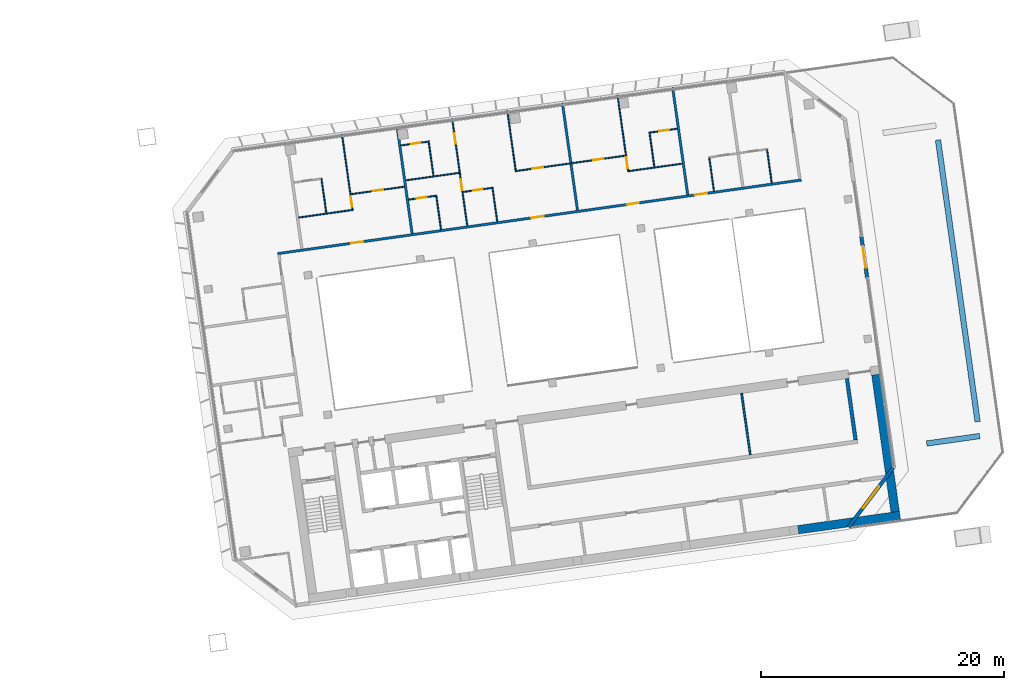
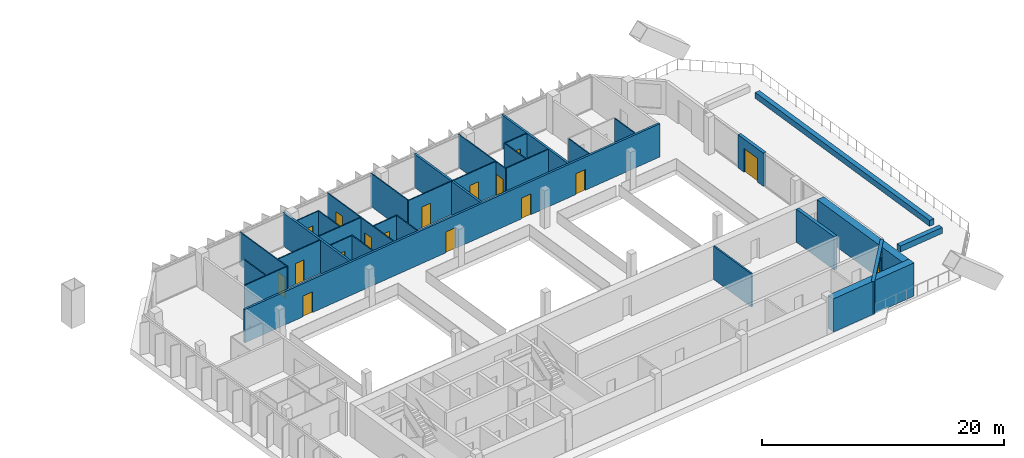
# One storey, part 19 of 23: 32 walls, 16 doors, 1 window, 17 openings.
"""IFC4 building model written with IfcOpenShell, lengths in metres."""

from ifc_helpers import new_model, si_unit, direction, frame, frame_2d, origin, place, context, subcontext, project, spatial, rectangle, extrude, material, layer, layer_set, type_object, element, fill, save


model = new_model("IFC4")

# Units and contexts
model_context = context("Model", 3, precision=1e-05, world=origin(), true_north=direction((0.0, 1.0)))
body_context = subcontext(model_context, "Body", "Model", "MODEL_VIEW")
ifc_project = project(units=[si_unit("LENGTHUNIT", "METRE"), si_unit("AREAUNIT", "SQUARE_METRE"), si_unit("VOLUMEUNIT", "CUBIC_METRE"), si_unit("PLANEANGLEUNIT", "RADIAN"), si_unit("MASSUNIT", "GRAM", prefix="KILO")], contexts=[model_context])

# Site, building, storey
site_placement = place(None, origin())
site = spatial("IfcSite", under=ifc_project, at=site_placement, CompositionType="ELEMENT")
building_placement = place(site_placement, origin())
building = spatial("IfcBuilding", under=site, at=building_placement, Name="Mirante Cascada Hotel Towers", CompositionType="ELEMENT")
storey_placement = place(building_placement, frame((0.0, 0.0, 180.2)))
storey = spatial("IfcBuildingStorey", under=building, at=storey_placement, Name="L42", CompositionType="ELEMENT", Elevation=180.2)

# Wall, openings, doors
ifc_material_1 = material(Name="Fire-rated plasterboard on metal studs")
ifc_layer_1 = layer(ifc_material_1, 0.2)
ifc_layer_set_1 = layer_set([ifc_layer_1], Name="Compartment wall 200 EI 120")
wall_type_1 = type_object("IfcWallType", Name="Compartment wall 200 EI 120", PredefinedType="PARTITIONING", material=ifc_layer_set_1)
wall_1_placement = place(storey_placement, frame((34.6489, 8.7516, 0.0), z_axis=(0.0, 0.0, 1.0), x_axis=(0.9902679, 0.1391746, 0.0)))
wall_1 = element("IfcWall", 1, at=wall_1_placement, inside=storey, type_object=wall_type_1, Name="Wall 2-L42-09", PredefinedType="PARTITIONING", context=body_context, shape_type="SweptSolid", body=[
    extrude(rectangle(XDim=43.5, YDim=0.2, at=frame_2d((21.75, 0.0))), origin(), (0.0, 0.0, 1.0), 3.35),
])
opening_1_placement = place(wall_1_placement, frame((6.11, 0.0, 0.0)))
opening_1 = element("IfcOpeningElement", 2, at=opening_1_placement, cuts=wall_1, Name="Opening D2-L42-04", PredefinedType="OPENING", context=body_context, shape_type="SweptSolid", body=[
    extrude(rectangle(XDim=1.0, YDim=2.1, at=frame_2d((0.5, 1.05))), frame((0.0, 0.1, 0.0), z_axis=(0.0, -1.0, 0.0), x_axis=(1.0, 0.0, 0.0)), (0.0, 0.0, 1.0), 0.2),
])
opening_2_placement = place(wall_1_placement, frame((21.0928, 0.0, 0.0)))
opening_2 = element("IfcOpeningElement", 3, at=opening_2_placement, cuts=wall_1, Name="Opening D2-L42-05", PredefinedType="OPENING", context=body_context, shape_type="SweptSolid", body=[
    extrude(rectangle(XDim=1.0, YDim=2.1, at=frame_2d((0.5, 1.05))), frame((0.0, 0.1, 0.0), z_axis=(0.0, -1.0, 0.0), x_axis=(1.0, 0.0, 0.0)), (0.0, 0.0, 1.0), 0.2),
])
opening_3_placement = place(wall_1_placement, frame((29.005, 0.0, 0.0)))
opening_3 = element("IfcOpeningElement", 4, at=opening_3_placement, cuts=wall_1, Name="Opening D2-L42-06", PredefinedType="OPENING", context=body_context, shape_type="SweptSolid", body=[
    extrude(rectangle(XDim=1.0, YDim=2.1, at=frame_2d((0.5, 1.05))), frame((0.0, 0.1, 0.0), z_axis=(0.0, -1.0, 0.0), x_axis=(1.0, 0.0, 0.0)), (0.0, 0.0, 1.0), 0.2),
])
opening_4_placement = place(wall_1_placement, frame((34.6735, 0.0, 0.0)))
opening_4 = element("IfcOpeningElement", 5, at=opening_4_placement, cuts=wall_1, Name="Opening D2-L42-07", PredefinedType="OPENING", context=body_context, shape_type="SweptSolid", body=[
    extrude(rectangle(XDim=1.0, YDim=2.1, at=frame_2d((0.5, 1.05))), frame((0.0, 0.1, 0.0), z_axis=(0.0, -1.0, 0.0), x_axis=(1.0, 0.0, 0.0)), (0.0, 0.0, 1.0), 0.2),
])
ifc_material_2 = material(Name="Fire-rated timber door leaf", Category="wood")
door_type_1 = type_object("IfcDoorType", Name="Entrance door DG1 1000x2100 EI 60", OperationType="SINGLE_SWING_LEFT", PredefinedType="DOOR", material=ifc_material_2)
door_1_placement = place(opening_1_placement, origin())
door_1 = element("IfcDoor", 6, at=door_1_placement, inside=storey, type_object=door_type_1, Name="Door D2-L42-04", OperationType="SINGLE_SWING_LEFT", OverallHeight=2.1, OverallWidth=1.0, PredefinedType="DOOR", context=body_context, shape_type="SweptSolid", body=[
    extrude(rectangle(XDim=1.0, YDim=2.1, at=frame_2d((0.5, 1.05))), frame((0.0, 0.025, 0.0), z_axis=(0.0, -1.0, 0.0), x_axis=(1.0, 0.0, 0.0)), (0.0, 0.0, 1.0), 0.05),
])
fill(opening_1, door_1)
door_2_placement = place(opening_2_placement, origin())
door_2 = element("IfcDoor", 7, at=door_2_placement, inside=storey, type_object=door_type_1, Name="Door D2-L42-05", OperationType="SINGLE_SWING_LEFT", OverallHeight=2.1, OverallWidth=1.0, PredefinedType="DOOR", context=body_context, shape_type="SweptSolid", body=[
    extrude(rectangle(XDim=1.0, YDim=2.1, at=frame_2d((0.5, 1.05))), frame((0.0, 0.025, 0.0), z_axis=(0.0, -1.0, 0.0), x_axis=(1.0, 0.0, 0.0)), (0.0, 0.0, 1.0), 0.05),
])
fill(opening_2, door_2)
door_3_placement = place(opening_3_placement, origin())
door_3 = element("IfcDoor", 8, at=door_3_placement, inside=storey, type_object=door_type_1, Name="Door D2-L42-06", OperationType="SINGLE_SWING_LEFT", OverallHeight=2.1, OverallWidth=1.0, PredefinedType="DOOR", context=body_context, shape_type="SweptSolid", body=[
    extrude(rectangle(XDim=1.0, YDim=2.1, at=frame_2d((0.5, 1.05))), frame((0.0, 0.025, 0.0), z_axis=(0.0, -1.0, 0.0), x_axis=(1.0, 0.0, 0.0)), (0.0, 0.0, 1.0), 0.05),
])
fill(opening_3, door_3)
door_4_placement = place(opening_4_placement, origin())
door_4 = element("IfcDoor", 9, at=door_4_placement, inside=storey, type_object=door_type_1, Name="Door D2-L42-07", OperationType="SINGLE_SWING_LEFT", OverallHeight=2.1, OverallWidth=1.0, PredefinedType="DOOR", context=body_context, shape_type="SweptSolid", body=[
    extrude(rectangle(XDim=1.0, YDim=2.1, at=frame_2d((0.5, 1.05))), frame((0.0, 0.025, 0.0), z_axis=(0.0, -1.0, 0.0), x_axis=(1.0, 0.0, 0.0)), (0.0, 0.0, 1.0), 0.05),
])
fill(opening_4, door_4)

# Walls
for number, where, z_axis, x_axis, name in (
    (10, (45.7151, 10.4079, 0.0), (0.0, 0.0, 1.0), (-0.1391684, 0.9902687, 0.0), "Wall 2-L42-31"),
    (11, (59.3184, 12.3197, 0.0), (0.0, 0.0, 1.0), (-0.1391684, 0.9902687, 0.0), "Wall 2-L42-37"),
    (12, (67.1486, 22.4076, 0.0), (0.0, 0.0, 1.0), (0.1391794, -0.9902672, 0.0), "Wall 2-L42-40"),
):
    element("IfcWall", number, at=place(storey_placement, frame(where, z_axis=z_axis, x_axis=x_axis)), inside=storey, type_object=wall_type_1, Name=name, PredefinedType="PARTITIONING", context=body_context, shape_type="SweptSolid", body=[
        extrude(rectangle(XDim=8.9, YDim=0.2, at=frame_2d((4.45, 0.0))), origin(), (0.0, 0.0, 1.0), 3.35),
    ])
ifc_material_3 = material(Name="Masonry block", Category="masonry")
ifc_layer_2 = layer(ifc_material_3, 0.15)
ifc_layer_set_2 = layer_set([ifc_layer_2], Name="Core room partition 150 block EI 30")
wall_type_2 = type_object("IfcWallType", Name="Core room partition 150 block EI 30", PredefinedType="PARTITIONING", material=ifc_layer_set_2)
wall_2_placement = place(storey_placement, frame((73.5306, -7.7981, 0.0), z_axis=(0.0, 0.0, 1.0), x_axis=(-0.1391782, 0.9902673, 0.0)))
element("IfcWall", 13, at=wall_2_placement, inside=storey, type_object=wall_type_2, Name="Core wall partition T2 L42 10", PredefinedType="PARTITIONING", context=body_context, shape_type="SweptSolid", body=[
    extrude(rectangle(XDim=5.0999, YDim=0.15, at=frame_2d((2.55, 0.0))), origin(), (0.0, 0.0, 1.0), 3.35),
])
ifc_material_4 = material(Name="Plasterboard on metal studs")
ifc_layer_3 = layer(ifc_material_4, 0.1)
ifc_layer_set_3 = layer_set([ifc_layer_3], Name="Partition 100")
wall_type_3 = type_object("IfcWallType", Name="Partition 100", PredefinedType="PARTITIONING", material=ifc_layer_set_3)
for number, where, z_axis, x_axis, name in (
    (14, (40.7693, 12.3383, 0.0), (0.0, 0.0, 1.0), (-0.990268, -0.1391735, 0.0), "Wall 2-L42-10"),
    (15, (63.5405, 15.5386, 0.0), (0.0, 0.0, 1.0), (0.990268, 0.1391735, 0.0), "Wall 2-L42-11"),
):
    element("IfcWall", number, at=place(storey_placement, frame(where, z_axis=z_axis, x_axis=x_axis)), inside=storey, type_object=wall_type_3, Name=name, PredefinedType="PARTITIONING", context=body_context, shape_type="SweptSolid", body=[
        extrude(rectangle(XDim=4.429, YDim=0.1, at=frame_2d((2.2145, 0.0))), origin(), (0.0, 0.0, 1.0), 3.35),
    ])

# Wall, opening, door
wall_3_placement = place(storey_placement, frame((47.6525, 13.5077, 0.0), z_axis=(0.0, 0.0, 1.0), x_axis=(-0.9902643, -0.1391997, 0.0)))
wall_3 = element("IfcWall", 16, at=wall_3_placement, inside=storey, type_object=wall_type_3, Name="Wall 2-L42-12", PredefinedType="PARTITIONING", context=body_context, shape_type="SweptSolid", body=[
    extrude(rectangle(XDim=2.25, YDim=0.1, at=frame_2d((1.125, 0.0))), origin(), (0.0, 0.0, 1.0), 3.35),
])
opening_5_placement = place(wall_3_placement, frame((0.75, 0.0, 0.0)))
opening_5 = element("IfcOpeningElement", 17, at=opening_5_placement, cuts=wall_3, Name="Opening D2-L42-08", PredefinedType="OPENING", context=body_context, shape_type="SweptSolid", body=[
    extrude(rectangle(XDim=0.8, YDim=2.1, at=frame_2d((0.4, 1.05))), frame((0.0, 0.05, 0.0), z_axis=(0.0, -1.0, 0.0), x_axis=(1.0, 0.0, 0.0)), (0.0, 0.0, 1.0), 0.1),
])
ifc_material_5 = material(Name="Timber door leaf", Category="wood")
door_type_2 = type_object("IfcDoorType", Name="Bathroom door DG4 800x2100", OperationType="SINGLE_SWING_LEFT", PredefinedType="DOOR", material=ifc_material_5)
door_5_placement = place(opening_5_placement, origin())
door_5 = element("IfcDoor", 18, at=door_5_placement, inside=storey, type_object=door_type_2, Name="Door D2-L42-08", OperationType="SINGLE_SWING_LEFT", OverallHeight=2.1, OverallWidth=0.8, PredefinedType="DOOR", context=body_context, shape_type="SweptSolid", body=[
    extrude(rectangle(XDim=0.8, YDim=2.1, at=frame_2d((0.4, 1.05))), frame((0.0, 0.025, 0.0), z_axis=(0.0, -1.0, 0.0), x_axis=(1.0, 0.0, 0.0)), (0.0, 0.0, 1.0), 0.05),
])
fill(opening_5, door_5)

wall_4_placement = place(storey_placement, frame((49.9094, 13.8249, 0.0), z_axis=(0.0, 0.0, 1.0), x_axis=(0.9902705, 0.1391555, 0.0)))
wall_4 = element("IfcWall", 19, at=wall_4_placement, inside=storey, type_object=wall_type_3, Name="Wall 2-L42-13", PredefinedType="PARTITIONING", context=body_context, shape_type="SweptSolid", body=[
    extrude(rectangle(XDim=2.3916, YDim=0.1, at=frame_2d((1.1958, 0.0))), origin(), (0.0, 0.0, 1.0), 3.35),
])
opening_6_placement = place(wall_4_placement, frame((0.8416, 0.0, 0.0)))
opening_6 = element("IfcOpeningElement", 20, at=opening_6_placement, cuts=wall_4, Name="Opening D2-L42-09", PredefinedType="OPENING", context=body_context, shape_type="SweptSolid", body=[
    extrude(rectangle(XDim=0.8, YDim=2.1, at=frame_2d((0.4, 1.05))), frame((0.0, 0.05, 0.0), z_axis=(0.0, -1.0, 0.0), x_axis=(1.0, 0.0, 0.0)), (0.0, 0.0, 1.0), 0.1),
])
door_6_placement = place(opening_6_placement, origin())
door_6 = element("IfcDoor", 21, at=door_6_placement, inside=storey, type_object=door_type_2, Name="Door D2-L42-09", OperationType="SINGLE_SWING_LEFT", OverallHeight=2.1, OverallWidth=0.8, PredefinedType="DOOR", context=body_context, shape_type="SweptSolid", body=[
    extrude(rectangle(XDim=0.8, YDim=2.1, at=frame_2d((0.4, 1.05))), frame((0.0, 0.025, 0.0), z_axis=(0.0, -1.0, 0.0), x_axis=(1.0, 0.0, 0.0)), (0.0, 0.0, 1.0), 0.05),
])
fill(opening_6, door_6)

wall_5_placement = place(storey_placement, frame((40.6874, 13.6396, 0.0), z_axis=(0.0, 0.0, 1.0), x_axis=(0.990268, 0.1391735, 0.0)))
wall_5 = element("IfcWall", 22, at=wall_5_placement, inside=storey, type_object=wall_type_3, Name="Wall 2-L42-15", PredefinedType="PARTITIONING", context=body_context, shape_type="SweptSolid", body=[
    extrude(rectangle(XDim=4.429, YDim=0.1, at=frame_2d((2.2145, 0.0))), origin(), (0.0, 0.0, 1.0), 3.35),
])
opening_7_placement = place(wall_5_placement, frame((1.7895, 0.0, 0.0)))
opening_7 = element("IfcOpeningElement", 23, at=opening_7_placement, cuts=wall_5, Name="Opening D2-L42-12", PredefinedType="OPENING", context=body_context, shape_type="SweptSolid", body=[
    extrude(rectangle(XDim=0.9, YDim=2.1, at=frame_2d((0.45, 1.05))), frame((0.0, 0.05, 0.0), z_axis=(0.0, -1.0, 0.0), x_axis=(1.0, 0.0, 0.0)), (0.0, 0.0, 1.0), 0.1),
])
ifc_material_6 = material(Name="Timber door leaf", Category="wood")
door_type_3 = type_object("IfcDoorType", Name="Room door DG3 900x2100", OperationType="SINGLE_SWING_LEFT", PredefinedType="DOOR", material=ifc_material_6)
door_7_placement = place(opening_7_placement, frame((0.9, 0.0, 0.0), z_axis=(0.0, 0.0, 1.0), x_axis=(-1.0, 0.0, 0.0)))
door_7 = element("IfcDoor", 24, at=door_7_placement, inside=storey, type_object=door_type_3, Name="Door D2-L42-12", OperationType="SINGLE_SWING_RIGHT", OverallHeight=2.1, OverallWidth=0.9, PredefinedType="DOOR", context=body_context, shape_type="SweptSolid", body=[
    extrude(rectangle(XDim=0.9, YDim=2.1, at=frame_2d((0.45, 1.05))), frame((0.0, 0.025, 0.0), z_axis=(0.0, -1.0, 0.0), x_axis=(1.0, 0.0, 0.0)), (0.0, 0.0, 1.0), 0.05),
])
fill(opening_7, door_7)

# Wall, openings, doors
wall_6_placement = place(storey_placement, frame((63.2606, 16.8121, 0.0), z_axis=(0.0, 0.0, 1.0), x_axis=(-0.9902673, -0.1391784, 0.0)))
wall_6 = element("IfcWall", 25, at=wall_6_placement, inside=storey, type_object=wall_type_3, Name="Wall 2-L42-16", PredefinedType="PARTITIONING", context=body_context, shape_type="SweptSolid", body=[
    extrude(rectangle(XDim=9.158, YDim=0.1, at=frame_2d((4.579, 0.0))), origin(), (0.0, 0.0, 1.0), 3.35),
])
opening_8_placement = place(wall_6_placement, frame((6.829, 0.0, 0.0)))
opening_8 = element("IfcOpeningElement", 26, at=opening_8_placement, cuts=wall_6, Name="Opening D2-L42-13", PredefinedType="OPENING", context=body_context, shape_type="SweptSolid", body=[
    extrude(rectangle(XDim=0.9, YDim=2.1, at=frame_2d((0.45, 1.05))), frame((0.0, 0.05, 0.0), z_axis=(0.0, -1.0, 0.0), x_axis=(1.0, 0.0, 0.0)), (0.0, 0.0, 1.0), 0.1),
])
opening_9_placement = place(wall_6_placement, frame((1.7895, 0.0, 0.0)))
opening_9 = element("IfcOpeningElement", 27, at=opening_9_placement, cuts=wall_6, Name="Opening D2-L42-14", PredefinedType="OPENING", context=body_context, shape_type="SweptSolid", body=[
    extrude(rectangle(XDim=0.9, YDim=2.1, at=frame_2d((0.45, 1.05))), frame((0.0, 0.05, 0.0), z_axis=(0.0, -1.0, 0.0), x_axis=(1.0, 0.0, 0.0)), (0.0, 0.0, 1.0), 0.1),
])
door_8_placement = place(opening_8_placement, frame((0.9, 0.0, 0.0), z_axis=(0.0, 0.0, 1.0), x_axis=(-1.0, 0.0, 0.0)))
door_8 = element("IfcDoor", 28, at=door_8_placement, inside=storey, type_object=door_type_3, Name="Door D2-L42-13", OperationType="SINGLE_SWING_RIGHT", OverallHeight=2.1, OverallWidth=0.9, PredefinedType="DOOR", context=body_context, shape_type="SweptSolid", body=[
    extrude(rectangle(XDim=0.9, YDim=2.1, at=frame_2d((0.45, 1.05))), frame((0.0, 0.025, 0.0), z_axis=(0.0, -1.0, 0.0), x_axis=(1.0, 0.0, 0.0)), (0.0, 0.0, 1.0), 0.05),
])
fill(opening_8, door_8)
door_9_placement = place(opening_9_placement, origin())
door_9 = element("IfcDoor", 29, at=door_9_placement, inside=storey, type_object=door_type_3, Name="Door D2-L42-14", OperationType="SINGLE_SWING_LEFT", OverallHeight=2.1, OverallWidth=0.9, PredefinedType="DOOR", context=body_context, shape_type="SweptSolid", body=[
    extrude(rectangle(XDim=0.9, YDim=2.1, at=frame_2d((0.45, 1.05))), frame((0.0, 0.025, 0.0), z_axis=(0.0, -1.0, 0.0), x_axis=(1.0, 0.0, 0.0)), (0.0, 0.0, 1.0), 0.05),
])
fill(opening_9, door_9)

# Wall
wall_7_placement = place(storey_placement, frame((45.2018, 14.779, 0.0), z_axis=(0.0, 0.0, 1.0), x_axis=(0.990268, 0.1391735, 0.0)))
element("IfcWall", 30, at=wall_7_placement, inside=storey, type_object=wall_type_3, Name="Wall 2-L42-17", PredefinedType="PARTITIONING", context=body_context, shape_type="SweptSolid", body=[
    extrude(rectangle(XDim=4.429, YDim=0.1, at=frame_2d((2.2145, 0.0))), origin(), (0.0, 0.0, 1.0), 3.35),
])

# Wall, opening, door
wall_8_placement = place(storey_placement, frame((65.2947, 18.7137, 0.0), z_axis=(0.0, 0.0, 1.0), x_axis=(0.9902705, 0.1391561, 0.0)))
wall_8 = element("IfcWall", 31, at=wall_8_placement, inside=storey, type_object=wall_type_3, Name="Wall 2-L42-19", PredefinedType="PARTITIONING", context=body_context, shape_type="SweptSolid", body=[
    extrude(rectangle(XDim=2.25, YDim=0.1, at=frame_2d((1.125, 0.0))), origin(), (0.0, 0.0, 1.0), 3.35),
])
opening_10_placement = place(wall_8_placement, frame((0.75, 0.0, 0.0)))
opening_10 = element("IfcOpeningElement", 32, at=opening_10_placement, cuts=wall_8, Name="Opening D2-L42-16", PredefinedType="OPENING", context=body_context, shape_type="SweptSolid", body=[
    extrude(rectangle(XDim=0.8, YDim=2.1, at=frame_2d((0.4, 1.05))), frame((0.0, 0.05, 0.0), z_axis=(0.0, -1.0, 0.0), x_axis=(1.0, 0.0, 0.0)), (0.0, 0.0, 1.0), 0.1),
])
door_10_placement = place(opening_10_placement, origin())
door_10 = element("IfcDoor", 33, at=door_10_placement, inside=storey, type_object=door_type_2, Name="Door D2-L42-16", OperationType="SINGLE_SWING_LEFT", OverallHeight=2.1, OverallWidth=0.8, PredefinedType="DOOR", context=body_context, shape_type="SweptSolid", body=[
    extrude(rectangle(XDim=0.8, YDim=2.1, at=frame_2d((0.4, 1.05))), frame((0.0, 0.025, 0.0), z_axis=(0.0, -1.0, 0.0), x_axis=(1.0, 0.0, 0.0)), (0.0, 0.0, 1.0), 0.05),
])
fill(opening_10, door_10)

wall_9_placement = place(storey_placement, frame((47.0263, 17.9639, 0.0), z_axis=(0.0, 0.0, 1.0), x_axis=(-0.9902643, -0.1391997, 0.0)))
wall_9 = element("IfcWall", 34, at=wall_9_placement, inside=storey, type_object=wall_type_3, Name="Wall 2-L42-20", PredefinedType="PARTITIONING", context=body_context, shape_type="SweptSolid", body=[
    extrude(rectangle(XDim=2.25, YDim=0.1, at=frame_2d((1.125, 0.0))), origin(), (0.0, 0.0, 1.0), 3.35),
])
opening_11_placement = place(wall_9_placement, frame((0.6, 0.0, 0.0)))
opening_11 = element("IfcOpeningElement", 35, at=opening_11_placement, cuts=wall_9, Name="Opening D2-L42-17", PredefinedType="OPENING", context=body_context, shape_type="SweptSolid", body=[
    extrude(rectangle(XDim=0.8, YDim=2.1, at=frame_2d((0.4, 1.05))), frame((0.0, 0.05, 0.0), z_axis=(0.0, -1.0, 0.0), x_axis=(1.0, 0.0, 0.0)), (0.0, 0.0, 1.0), 0.1),
])
door_11_placement = place(opening_11_placement, origin())
door_11 = element("IfcDoor", 36, at=door_11_placement, inside=storey, type_object=door_type_2, Name="Door D2-L42-17", OperationType="SINGLE_SWING_LEFT", OverallHeight=2.1, OverallWidth=0.8, PredefinedType="DOOR", context=body_context, shape_type="SweptSolid", body=[
    extrude(rectangle(XDim=0.8, YDim=2.1, at=frame_2d((0.4, 1.05))), frame((0.0, 0.025, 0.0), z_axis=(0.0, -1.0, 0.0), x_axis=(1.0, 0.0, 0.0)), (0.0, 0.0, 1.0), 0.05),
])
fill(opening_11, door_11)

# Wall
wall_10_placement = place(storey_placement, frame((38.6541, 12.0915, 0.0), z_axis=(0.0, 0.0, 1.0), x_axis=(-0.1391714, 0.9902683, 0.0)))
element("IfcWall", 37, at=wall_10_placement, inside=storey, type_object=wall_type_3, Name="Wall 2-L42-29", PredefinedType="PARTITIONING", context=body_context, shape_type="SweptSolid", body=[
    extrude(rectangle(XDim=2.9, YDim=0.1, at=frame_2d((1.45, 0.0))), origin(), (0.0, 0.0, 1.0), 3.35),
])

# Wall, opening, door
wall_11_placement = place(storey_placement, frame((39.942, 18.584, 0.0), z_axis=(0.0, 0.0, 1.0), x_axis=(0.139181, -0.990267, 0.0)))
wall_11 = element("IfcWall", 38, at=wall_11_placement, inside=storey, type_object=wall_type_3, Name="Wall 2-L42-30", PredefinedType="PARTITIONING", context=body_context, shape_type="SweptSolid", body=[
    extrude(rectangle(XDim=6.35, YDim=0.1, at=frame_2d((3.175, 0.0))), origin(), (0.0, 0.0, 1.0), 3.35),
])
opening_12_placement = place(wall_11_placement, frame((5.15, 0.0, 0.0)))
opening_12 = element("IfcOpeningElement", 39, at=opening_12_placement, cuts=wall_11, Name="Opening D2-L42-24", PredefinedType="OPENING", context=body_context, shape_type="SweptSolid", body=[
    extrude(rectangle(XDim=0.9, YDim=2.1, at=frame_2d((0.45, 1.05))), frame((0.0, 0.05, 0.0), z_axis=(0.0, -1.0, 0.0), x_axis=(1.0, 0.0, 0.0)), (0.0, 0.0, 1.0), 0.1),
])
door_12_placement = place(opening_12_placement, frame((0.9, 0.0, 0.0), z_axis=(0.0, 0.0, 1.0), x_axis=(-1.0, 0.0, 0.0)))
door_12 = element("IfcDoor", 40, at=door_12_placement, inside=storey, type_object=door_type_3, Name="Door D2-L42-24", OperationType="SINGLE_SWING_RIGHT", OverallHeight=2.1, OverallWidth=0.9, PredefinedType="DOOR", context=body_context, shape_type="SweptSolid", body=[
    extrude(rectangle(XDim=0.9, YDim=2.1, at=frame_2d((0.45, 1.05))), frame((0.0, 0.025, 0.0), z_axis=(0.0, -1.0, 0.0), x_axis=(1.0, 0.0, 0.0)), (0.0, 0.0, 1.0), 0.05),
])
fill(opening_12, door_12)

# Walls
wall_12_placement = place(storey_placement, frame((47.6951, 13.5642, 0.0), z_axis=(0.0, 0.0, 1.0), x_axis=(0.1391564, -0.9902704, 0.0)))
element("IfcWall", 41, at=wall_12_placement, inside=storey, type_object=wall_type_3, Name="Wall 2-L42-32", PredefinedType="PARTITIONING", context=body_context, shape_type="SweptSolid", body=[
    extrude(rectangle(XDim=2.85, YDim=0.1, at=frame_2d((1.425, 0.0))), origin(), (0.0, 0.0, 1.0), 3.35),
])
wall_13_placement = place(storey_placement, frame((47.4724, 15.1486, 0.0), z_axis=(0.0, 0.0, 1.0), x_axis=(-0.1391714, 0.9902683, 0.0)))
element("IfcWall", 42, at=wall_13_placement, inside=storey, type_object=wall_type_3, Name="Wall 2-L42-33", PredefinedType="PARTITIONING", context=body_context, shape_type="SweptSolid", body=[
    extrude(rectangle(XDim=2.9, YDim=0.1, at=frame_2d((1.45, 0.0))), origin(), (0.0, 0.0, 1.0), 3.35),
])

# Wall, openings, doors
wall_14_placement = place(storey_placement, frame((49.0109, 19.8585, 0.0), z_axis=(0.0, 0.0, 1.0), x_axis=(0.1391684, -0.9902687, 0.0)))
wall_14 = element("IfcWall", 43, at=wall_14_placement, inside=storey, type_object=wall_type_3, Name="Wall 2-L42-34", PredefinedType="PARTITIONING", context=body_context, shape_type="SweptSolid", body=[
    extrude(rectangle(XDim=8.9, YDim=0.1, at=frame_2d((4.45, 0.0))), origin(), (0.0, 0.0, 1.0), 3.35),
])
opening_13_placement = place(wall_14_placement, frame((5.05, 0.0, 0.0)))
opening_13 = element("IfcOpeningElement", 44, at=opening_13_placement, cuts=wall_14, Name="Opening D2-L42-25", PredefinedType="OPENING", context=body_context, shape_type="SweptSolid", body=[
    extrude(rectangle(XDim=0.9, YDim=2.1, at=frame_2d((0.45, 1.05))), frame((0.0, 0.05, 0.0), z_axis=(0.0, -1.0, 0.0), x_axis=(1.0, 0.0, 0.0)), (0.0, 0.0, 1.0), 0.1),
])
opening_14_placement = place(wall_14_placement, frame((1.2, 0.0, 0.0)))
opening_14 = element("IfcOpeningElement", 45, at=opening_14_placement, cuts=wall_14, Name="Opening D2-L42-26", PredefinedType="OPENING", context=body_context, shape_type="SweptSolid", body=[
    extrude(rectangle(XDim=0.9, YDim=2.1, at=frame_2d((0.45, 1.05))), frame((0.0, 0.05, 0.0), z_axis=(0.0, -1.0, 0.0), x_axis=(1.0, 0.0, 0.0)), (0.0, 0.0, 1.0), 0.1),
])
door_13_placement = place(opening_13_placement, origin())
door_13 = element("IfcDoor", 46, at=door_13_placement, inside=storey, type_object=door_type_3, Name="Door D2-L42-25", OperationType="SINGLE_SWING_LEFT", OverallHeight=2.1, OverallWidth=0.9, PredefinedType="DOOR", context=body_context, shape_type="SweptSolid", body=[
    extrude(rectangle(XDim=0.9, YDim=2.1, at=frame_2d((0.45, 1.05))), frame((0.0, 0.025, 0.0), z_axis=(0.0, -1.0, 0.0), x_axis=(1.0, 0.0, 0.0)), (0.0, 0.0, 1.0), 0.05),
])
fill(opening_13, door_13)
door_14_placement = place(opening_14_placement, origin())
door_14 = element("IfcDoor", 47, at=door_14_placement, inside=storey, type_object=door_type_3, Name="Door D2-L42-26", OperationType="SINGLE_SWING_LEFT", OverallHeight=2.1, OverallWidth=0.9, PredefinedType="DOOR", context=body_context, shape_type="SweptSolid", body=[
    extrude(rectangle(XDim=0.9, YDim=2.1, at=frame_2d((0.45, 1.05))), frame((0.0, 0.025, 0.0), z_axis=(0.0, -1.0, 0.0), x_axis=(1.0, 0.0, 0.0)), (0.0, 0.0, 1.0), 0.05),
])
fill(opening_14, door_14)

# Walls
wall_15_placement = place(storey_placement, frame((52.7169, 11.3919, 0.0), z_axis=(0.0, 0.0, 1.0), x_axis=(-0.1391909, 0.9902656, 0.0)))
element("IfcWall", 48, at=wall_15_placement, inside=storey, type_object=wall_type_3, Name="Wall 2-L42-35", PredefinedType="PARTITIONING", context=body_context, shape_type="SweptSolid", body=[
    extrude(rectangle(XDim=2.85, YDim=0.1, at=frame_2d((1.425, 0.0))), origin(), (0.0, 0.0, 1.0), 3.35),
])
wall_16_placement = place(storey_placement, frame((53.5453, 20.4958, 0.0), z_axis=(0.0, 0.0, 1.0), x_axis=(0.1391725, -0.9902682, 0.0)))
element("IfcWall", 49, at=wall_16_placement, inside=storey, type_object=wall_type_3, Name="Wall 2-L42-36", PredefinedType="PARTITIONING", context=body_context, shape_type="SweptSolid", body=[
    extrude(rectangle(XDim=4.95, YDim=0.1, at=frame_2d((2.475, 0.0))), origin(), (0.0, 0.0, 1.0), 3.35),
])

# Wall, opening, door
wall_17_placement = place(storey_placement, frame((62.6142, 21.7704, 0.0), z_axis=(0.0, 0.0, 1.0), x_axis=(0.1391788, -0.9902673, 0.0)))
wall_17 = element("IfcWall", 50, at=wall_17_placement, inside=storey, type_object=wall_type_3, Name="Wall 2-L42-38", PredefinedType="PARTITIONING", context=body_context, shape_type="SweptSolid", body=[
    extrude(rectangle(XDim=6.3501, YDim=0.1, at=frame_2d((3.175, 0.0))), origin(), (0.0, 0.0, 1.0), 3.35),
])
opening_15_placement = place(wall_17_placement, frame((5.15, 0.0, 0.0)))
opening_15 = element("IfcOpeningElement", 51, at=opening_15_placement, cuts=wall_17, Name="Opening D2-L42-27", PredefinedType="OPENING", context=body_context, shape_type="SweptSolid", body=[
    extrude(rectangle(XDim=0.9, YDim=2.1, at=frame_2d((0.45, 1.05))), frame((0.0, 0.05, 0.0), z_axis=(0.0, -1.0, 0.0), x_axis=(1.0, 0.0, 0.0)), (0.0, 0.0, 1.0), 0.1),
])
door_15_placement = place(opening_15_placement, frame((0.9, 0.0, 0.0), z_axis=(0.0, 0.0, 1.0), x_axis=(-1.0, 0.0, 0.0)))
door_15 = element("IfcDoor", 52, at=door_15_placement, inside=storey, type_object=door_type_3, Name="Door D2-L42-27", OperationType="SINGLE_SWING_RIGHT", OverallHeight=2.1, OverallWidth=0.9, PredefinedType="DOOR", context=body_context, shape_type="SweptSolid", body=[
    extrude(rectangle(XDim=0.9, YDim=2.1, at=frame_2d((0.45, 1.05))), frame((0.0, 0.025, 0.0), z_axis=(0.0, -1.0, 0.0), x_axis=(1.0, 0.0, 0.0)), (0.0, 0.0, 1.0), 0.05),
])
fill(opening_15, door_15)

# Walls
wall_18_placement = place(storey_placement, frame((65.6418, 15.8844, 0.0), z_axis=(0.0, 0.0, 1.0), x_axis=(-0.1391714, 0.9902683, 0.0)))
element("IfcWall", 53, at=wall_18_placement, inside=storey, type_object=wall_type_3, Name="Wall 2-L42-39", PredefinedType="PARTITIONING", context=body_context, shape_type="SweptSolid", body=[
    extrude(rectangle(XDim=2.9, YDim=0.1, at=frame_2d((1.45, 0.0))), origin(), (0.0, 0.0, 1.0), 3.35),
])
wall_19_placement = place(storey_placement, frame((70.5451, 13.8975, 0.0), z_axis=(0.0, 0.0, 1.0), x_axis=(-0.1391657, 0.9902691, 0.0)))
element("IfcWall", 54, at=wall_19_placement, inside=storey, type_object=wall_type_3, Name="Wall 2-L42-41", PredefinedType="PARTITIONING", context=body_context, shape_type="SweptSolid", body=[
    extrude(rectangle(XDim=2.75, YDim=0.1, at=frame_2d((1.375, 0.0))), origin(), (0.0, 0.0, 1.0), 3.35),
])
wall_20_placement = place(storey_placement, frame((75.2984, 14.5655, 0.0), z_axis=(0.0, 0.0, 1.0), x_axis=(-0.1391963, 0.9902648, 0.0)))
element("IfcWall", 55, at=wall_20_placement, inside=storey, type_object=wall_type_3, Name="Wall 2-L42-43", PredefinedType="PARTITIONING", context=body_context, shape_type="SweptSolid", body=[
    extrude(rectangle(XDim=2.7501, YDim=0.1, at=frame_2d((1.3751, 0.0))), origin(), (0.0, 0.0, 1.0), 3.35),
])
ifc_material_7 = material(Name="Precast concrete C40/50", Category="concrete")
ifc_layer_4 = layer(ifc_material_7, 0.45)
ifc_layer_set_4 = layer_set([ifc_layer_4], Name="Planter wall 450 concrete C40/50")
wall_type_4 = type_object("IfcWallType", Name="Planter wall 450 concrete C40/50", PredefinedType="PARAPET", material=ifc_layer_set_4)
wall_21_placement = place(storey_placement, frame((88.0426, -6.8694, 0.0), z_axis=(0.0, 0.0, 1.0), x_axis=(0.9902696, 0.1391619, 0.0)))
element("IfcWall", 56, at=wall_21_placement, inside=storey, type_object=wall_type_4, Name="PLANTER T2 L42 bed 1", PredefinedType="PARAPET", context=body_context, shape_type="SweptSolid", body=[
    extrude(rectangle(XDim=4.3999, YDim=0.45, at=frame_2d((2.2, 0.0))), origin(), (0.0, 0.0, 1.0), 0.6),
])
wall_22_placement = place(storey_placement, frame((92.2327, -5.0687, 0.0), z_axis=(0.0, 0.0, 1.0), x_axis=(-0.1391714, 0.9902683, 0.0)))
element("IfcWall", 57, at=wall_22_placement, inside=storey, type_object=wall_type_4, Name="PLANTER T2 L42 bed 3", PredefinedType="PARAPET", context=body_context, shape_type="SweptSolid", body=[
    extrude(rectangle(XDim=23.3999, YDim=0.45, at=frame_2d((11.7, 0.0))), origin(), (0.0, 0.0, 1.0), 0.6),
])

# Wall, opening, window
ifc_material_8 = material(Name="Precast concrete C40/50", Category="concrete")
ifc_layer_5 = layer(ifc_material_8, 0.3)
ifc_layer_set_5 = layer_set([ifc_layer_5], Name="Precast concrete C40/50 cladding wall 300")
wall_type_5 = type_object("IfcWallType", Name="Precast concrete C40/50 cladding wall 300", PredefinedType="STANDARD", material=ifc_layer_set_5)
wall_23_placement = place(storey_placement, frame((81.6175, -13.7366, 0.0), z_axis=(0.0, 0.0, 1.0), x_axis=(0.6018141, 0.7986362, 0.0)))
wall_23 = element("IfcWall", 58, at=wall_23_placement, inside=storey, type_object=wall_type_5, Name="Corner cladding wall T2 L42 rear outer", PredefinedType="STANDARD", context=body_context, shape_type="SweptSolid", body=[
    extrude(rectangle(XDim=6.1157, YDim=0.3, at=frame_2d((3.0578, 0.0))), origin(), (0.0, 0.0, 1.0), 3.35),
])
opening_16_placement = place(wall_23_placement, frame((1.9578, 0.0, 0.6)))
opening_16 = element("IfcOpeningElement", 59, at=opening_16_placement, cuts=wall_23, Name="Opening W2-42-01", PredefinedType="OPENING", context=body_context, shape_type="SweptSolid", body=[
    extrude(rectangle(XDim=2.2, YDim=2.4, at=frame_2d((1.1, 1.2))), frame((0.0, 0.15, 0.0), z_axis=(0.0, -1.0, 0.0), x_axis=(1.0, 0.0, 0.0)), (0.0, 0.0, 1.0), 0.3),
])
ifc_material_9 = material(Name="Aluminium frame with clear double glazing", Category="aluminium")
window_type = type_object("IfcWindowType", Name="Corner suite window 2200x2400", PartitioningType="DOUBLE_PANEL_VERTICAL", PredefinedType="WINDOW", material=ifc_material_9)
window_placement = place(opening_16_placement, origin())
window = element("IfcWindow", 60, at=window_placement, inside=storey, type_object=window_type, Name="Window W2-42-01", OverallHeight=2.4, OverallWidth=2.2, PartitioningType="SINGLE_PANEL", PredefinedType="WINDOW", context=body_context, shape_type="SweptSolid", body=[
    extrude(rectangle(XDim=2.2, YDim=2.4, at=frame_2d((1.1, 1.2))), frame((0.0, 0.03, 0.0), z_axis=(0.0, -1.0, 0.0), x_axis=(1.0, 0.0, 0.0)), (0.0, 0.0, 1.0), 0.06),
])
fill(opening_16, window)

# Wall, opening, door
ifc_material_10 = material(Name="Precast concrete C40/50", Category="concrete")
ifc_layer_6 = layer(ifc_material_10, 0.3)
ifc_layer_set_6 = layer_set([ifc_layer_6], Name="Precast concrete C40/50 terrace wall 300")
wall_type_6 = type_object("IfcWallType", Name="Precast concrete C40/50 terrace wall 300", PredefinedType="STANDARD", material=ifc_layer_set_6)
wall_24_placement = place(storey_placement, frame((83.145, 6.7818, 0.0), z_axis=(0.0, 0.0, 1.0), x_axis=(-0.1391769, 0.9902675, 0.0)))
wall_24 = element("IfcWall", 61, at=wall_24_placement, inside=storey, type_object=wall_type_6, Name="Lounge door pier wall T2 L42 2", PredefinedType="STANDARD", context=body_context, shape_type="SweptSolid", body=[
    extrude(rectangle(XDim=3.4, YDim=0.3, at=frame_2d((1.7, 0.0))), origin(), (0.0, 0.0, 1.0), 3.35),
])
opening_17_placement = place(wall_24_placement, frame((0.8, 0.0, 0.0)))
opening_17 = element("IfcOpeningElement", 62, at=opening_17_placement, cuts=wall_24, Name="Opening D2-42-91", PredefinedType="OPENING", context=body_context, shape_type="SweptSolid", body=[
    extrude(rectangle(XDim=1.8, YDim=2.4, at=frame_2d((0.9, 1.2))), frame((0.0, 0.15, 0.0), z_axis=(0.0, -1.0, 0.0), x_axis=(1.0, 0.0, 0.0)), (0.0, 0.0, 1.0), 0.3),
])
ifc_material_11 = material(Name="Aluminium frame with clear laminated glazing", Category="aluminium")
door_type_4 = type_object("IfcDoorType", Name="Terrace double door 1800x2400", OperationType="DOUBLE_DOOR_SINGLE_SWING", PredefinedType="DOOR", material=ifc_material_11)
door_16_placement = place(opening_17_placement, origin())
door_16 = element("IfcDoor", 63, at=door_16_placement, inside=storey, type_object=door_type_4, Name="Terrace door D2-42-91", OperationType="DOUBLE_DOOR_SINGLE_SWING", OverallHeight=2.4, OverallWidth=1.8, PredefinedType="DOOR", context=body_context, shape_type="SweptSolid", body=[
    extrude(rectangle(XDim=0.895, YDim=2.4, at=frame_2d((0.4475, 1.2))), frame((0.0, 0.025, 0.0), z_axis=(0.0, -1.0, 0.0), x_axis=(1.0, 0.0, 0.0)), (0.0, 0.0, 1.0), 0.05),
    extrude(rectangle(XDim=0.895, YDim=2.4, at=frame_2d((1.3525, 1.2))), frame((0.0, 0.025, 0.0), z_axis=(0.0, -1.0, 0.0), x_axis=(1.0, 0.0, 0.0)), (0.0, 0.0, 1.0), 0.05),
])
fill(opening_17, door_16)

# Walls
ifc_material_12 = material(Name="Concrete C50/60", Category="concrete")
ifc_layer_7 = layer(ifc_material_12, 0.3)
ifc_layer_set_7 = layer_set([ifc_layer_7], Name="RC core wall 300 C50/60")
wall_type_7 = type_object("IfcWallType", Name="RC core wall 300 C50/60", PredefinedType="SHEAR", material=ifc_layer_set_7)
wall_25_placement = place(storey_placement, frame((82.1954, -6.5804, 0.0), z_axis=(0.0, 0.0, 1.0), x_axis=(-0.1391755, 0.9902677, 0.0)))
element("IfcWall", 64, at=wall_25_placement, inside=storey, type_object=wall_type_7, Name="Core wall T2:L42:30", PredefinedType="SHEAR", context=body_context, shape_type="SweptSolid", body=[
    extrude(rectangle(XDim=5.1, YDim=0.3, at=frame_2d((2.55, 0.0))), origin(), (0.0, 0.0, 1.0), 3.35),
])
ifc_material_13 = material(Name="Concrete C50/60", Category="concrete")
ifc_layer_8 = layer(ifc_material_13, 0.7)
ifc_layer_set_8 = layer_set([ifc_layer_8], Name="RC core wall 700 C50/60")
wall_type_8 = type_object("IfcWallType", Name="RC core wall 700 C50/60", PredefinedType="SHEAR", material=ifc_layer_set_8)
wall_26_placement = place(storey_placement, frame((77.4764, -13.9589, 0.0), z_axis=(0.0, 0.0, 1.0), x_axis=(0.9902684, 0.1391711, 0.0)))
element("IfcWall", 65, at=wall_26_placement, inside=storey, type_object=wall_type_8, Name="Core wall T2:L42:1.6", PredefinedType="SHEAR", context=body_context, shape_type="SweptSolid", body=[
    extrude(rectangle(XDim=8.45, YDim=0.7, at=frame_2d((4.225, 0.0))), origin(), (0.0, 0.0, 1.0), 3.35),
])
wall_27_placement = place(storey_placement, frame((85.4489, -12.485, 0.0), z_axis=(0.0, 0.0, 1.0), x_axis=(-0.1391761, 0.9902677, 0.0)))
element("IfcWall", 66, at=wall_27_placement, inside=storey, type_object=wall_type_8, Name="Core wall T2:L42:4", PredefinedType="SHEAR", context=body_context, shape_type="SweptSolid", body=[
    extrude(rectangle(XDim=11.3999, YDim=0.7, at=frame_2d((5.7, 0.0))), origin(), (0.0, 0.0, 1.0), 3.35),
])

save(model, "model.ifc")
